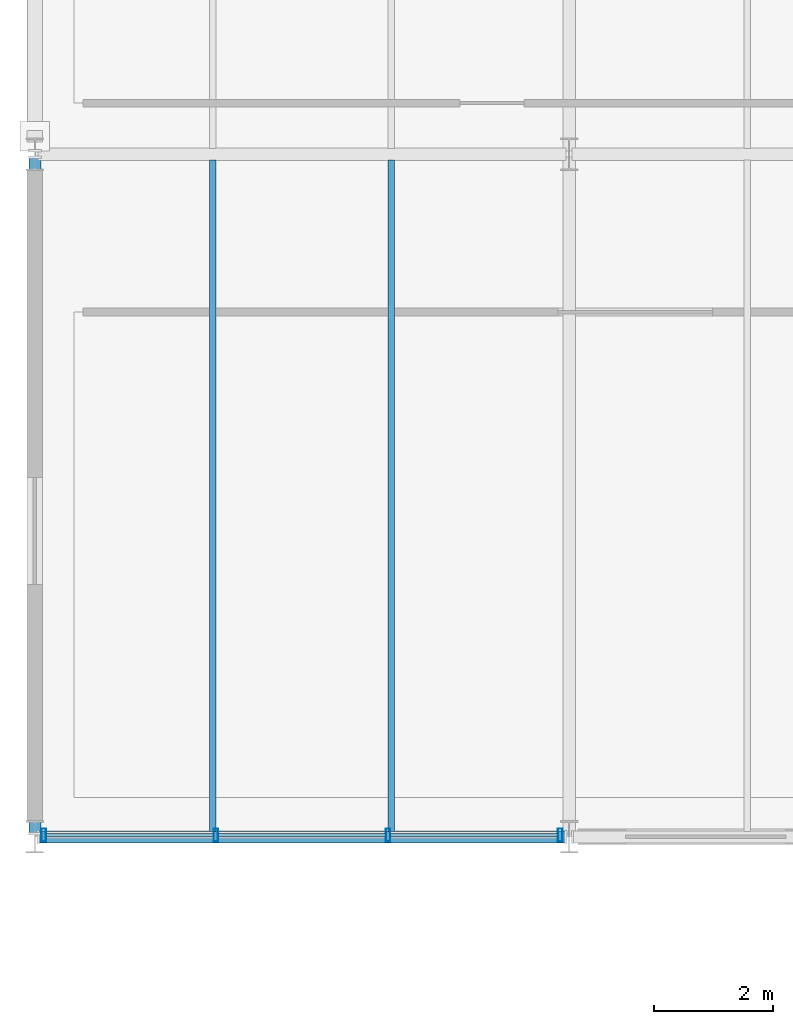
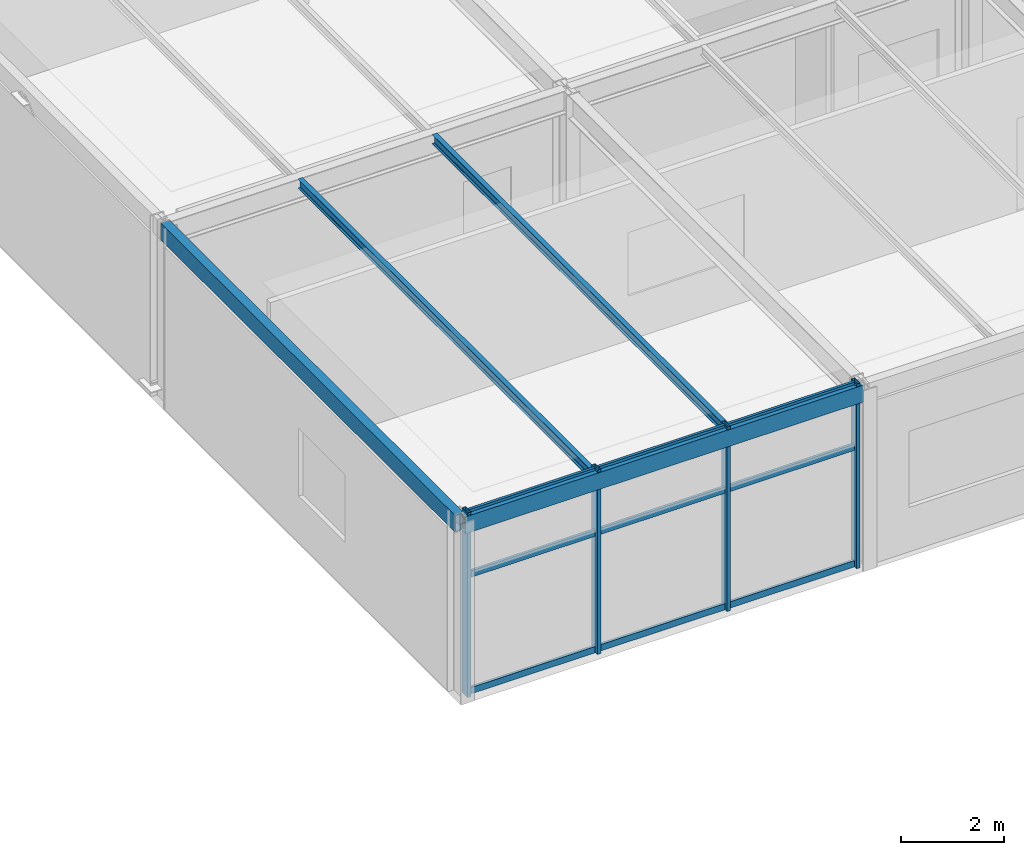
# One storey, part 6 of 44: 13 members, 4 beams, 1 element without a shape of its own.
"""IFC4 building model written with IfcOpenShell, lengths in metres."""

from ifc_helpers import new_model, si_unit, direction, frame, origin, origin_2d, place, context, subcontext, project, spatial, hollow_rectangle, i_section, extrude, material, layer, layer_set, material_profile, profile_set, type_object, element, aggregate, save


model = new_model("IFC4")

# Units and contexts
model_context = context("Model", 3, precision=1e-05, world=origin(), true_north=direction((0.0, 1.0)))
body_context = subcontext(model_context, "Body", "Model", "MODEL_VIEW")
ifc_project = project(units=[si_unit("LENGTHUNIT", "METRE"), si_unit("AREAUNIT", "SQUARE_METRE"), si_unit("VOLUMEUNIT", "CUBIC_METRE"), si_unit("PLANEANGLEUNIT", "RADIAN"), si_unit("MASSUNIT", "GRAM", prefix="KILO")], contexts=[model_context])

# Site, building, storey
site_placement = place(None, origin())
site = spatial("IfcSite", under=ifc_project, at=site_placement, CompositionType="ELEMENT")
building_placement = place(site_placement, origin())
building = spatial("IfcBuilding", under=site, at=building_placement, Name="Marlcrest Central Station", CompositionType="ELEMENT")
storey_placement = place(building_placement, frame((0.0, 0.0, 19.5)))
storey = spatial("IfcBuildingStorey", under=building, at=storey_placement, Name="L04", CompositionType="ELEMENT", Elevation=19.5)

# Beams
ifc_material_1 = material(Name="Steel S355", Category="steel")
ifc_material_profile_1 = material_profile(ifc_material_1, i_section(OverallWidth=0.110107421875, OverallDepth=0.219970703125, WebThickness=0.005859375, FlangeThickness=0.00927734375, FilletRadius=0.011962890625, at=origin_2d()), Name="IPE 220")
ifc_profile_set_1 = profile_set([ifc_material_profile_1], Name="Steel S355")
beam_type_1 = type_object("IfcBeamType", Name="JS-02", PredefinedType="JOIST", material=ifc_profile_set_1)
for number, where, z_axis, x_axis, name in (
    (1, (3.0, 99.094970703125, 4.1650390625), (0.0, 1.0, 0.0), (-1.0, 0.0, 0.0), "bm-JS-02-L04-00627"),
    (2, (6.0, 99.094970703125, 4.1650390625), (0.0, 1.0, 0.0), (-1.0, 0.0, 0.0), "bm-JS-02-L04-00630"),
):
    element("IfcBeam", number, at=place(storey_placement, frame(where, z_axis=z_axis, x_axis=x_axis)), inside=storey, type_object=beam_type_1, Name=name, PredefinedType="JOIST", context=body_context, shape_type="SweptSolid", body=[
        extrude(i_section(OverallWidth=0.110107421875, OverallDepth=0.219970703125, WebThickness=0.005859375, FlangeThickness=0.00927734375, FilletRadius=0.011962890625, at=origin_2d()), origin(), (0.0, 0.0, 1.0), 11.31005859375),
    ])

# Curtain wall, members
ifc_material_2 = material(Name="Anodised aluminium and hurricane laminated glass", Category="aluminium")
ifc_layer = layer(ifc_material_2, 0.219970703125, Name="CW-U1")
ifc_layer_set = layer_set([ifc_layer], Name="Anodised aluminium and hurricane laminated glass")
curtain_wall_type = type_object("IfcCurtainWallType", Name="CW-U1", PredefinedType="USERDEFINED", material=ifc_layer_set)
curtain_wall_placement = place(storey_placement, origin())
curtain_wall = element("IfcCurtainWall", 3, at=curtain_wall_placement, inside=storey, type_object=curtain_wall_type, Name="cw-L04-0167", ObjectType="UNITISED_CURTAIN_WALL", PredefinedType="USERDEFINED")
ifc_material_3 = material(Name="Anodised aluminium 6063-T6", Category="aluminium")
ifc_material_profile_2 = material_profile(ifc_material_3, hollow_rectangle(XDim=0.080078125, YDim=0.219970703125, WallThickness=0.006103515625, at=origin_2d()), Name="AA-RHS 220x80x6")
ifc_profile_set_2 = profile_set([ifc_material_profile_2], Name="Anodised aluminium 6063-T6")
member_type_1 = type_object("IfcMemberType", Name="ML-01", PredefinedType="MULLION", material=ifc_profile_set_2)
member_1_placement = place(storey_placement, frame((8.85009765625, 99.030029296875, -0.030029296875), z_axis=(0.0, 0.0, 1.0), x_axis=(1.0, 0.0, 0.0)))
member_1 = element("IfcMember", 4, at=member_1_placement, type_object=member_type_1, Name="cw-L04-0167-ml-0", PredefinedType="MULLION", context=body_context, shape_type="SweptSolid", body=[
    extrude(hollow_rectangle(XDim=0.080078125, YDim=0.219970703125, WallThickness=0.006103515625, at=origin_2d()), origin(), (0.0, 0.0, 1.0), 4.360107421875),
])
member_2_placement = place(storey_placement, frame((5.949951171875, 99.030029296875, -0.030029296875), z_axis=(0.0, 0.0, 1.0), x_axis=(1.0, 0.0, 0.0)))
member_2 = element("IfcMember", 5, at=member_2_placement, type_object=member_type_1, Name="cw-L04-0167-ml-1", PredefinedType="MULLION", context=body_context, shape_type="SweptSolid", body=[
    extrude(hollow_rectangle(XDim=0.080078125, YDim=0.219970703125, WallThickness=0.006103515625, at=origin_2d()), origin(), (0.0, 0.0, 1.0), 4.360107421875),
])
member_3_placement = place(storey_placement, frame((3.050048828125, 99.030029296875, -0.030029296875), z_axis=(0.0, 0.0, 1.0), x_axis=(1.0, 0.0, 0.0)))
member_3 = element("IfcMember", 6, at=member_3_placement, type_object=member_type_1, Name="cw-L04-0167-ml-2", PredefinedType="MULLION", context=body_context, shape_type="SweptSolid", body=[
    extrude(hollow_rectangle(XDim=0.080078125, YDim=0.219970703125, WallThickness=0.006103515625, at=origin_2d()), origin(), (0.0, 0.0, 1.0), 4.360107421875),
])
member_4_placement = place(storey_placement, frame((0.14990234375, 99.030029296875, -0.030029296875), z_axis=(0.0, 0.0, 1.0), x_axis=(1.0, 0.0, 0.0)))
member_4 = element("IfcMember", 7, at=member_4_placement, type_object=member_type_1, Name="cw-L04-0167-ml-3", PredefinedType="MULLION", context=body_context, shape_type="SweptSolid", body=[
    extrude(hollow_rectangle(XDim=0.080078125, YDim=0.219970703125, WallThickness=0.006103515625, at=origin_2d()), origin(), (0.0, 0.0, 1.0), 4.360107421875),
])

# Beams
ifc_material_profile_3 = material_profile(ifc_material_1, hollow_rectangle(XDim=0.199951171875, YDim=0.39990234375, WallThickness=0.01611328125, at=origin_2d()), Name="RHS 400x200x16")
ifc_profile_set_3 = profile_set([ifc_material_profile_3], Name="Steel S355")
beam_type_2 = type_object("IfcBeamType", Name="SP-01", PredefinedType="SPANDREL", material=ifc_profile_set_3)
beam_1_placement = place(storey_placement, frame((0.050048828125, 99.0, 4.074951171875), z_axis=(1.0, 0.0, 0.0), x_axis=(0.0, 1.0, 0.0)))
element("IfcBeam", 8, at=beam_1_placement, inside=storey, type_object=beam_type_2, Name="bm-SP-01-L04-00575", PredefinedType="SPANDREL", context=body_context, shape_type="SweptSolid", body=[
    extrude(hollow_rectangle(XDim=0.199951171875, YDim=0.39990234375, WallThickness=0.01611328125, at=origin_2d()), origin(), (0.0, 0.0, 1.0), 8.89990234375),
])
beam_2_placement = place(storey_placement, frame((0.0, 99.050048828125, 4.074951171875), z_axis=(0.0, 1.0, 0.0), x_axis=(-1.0, 0.0, 0.0)))
element("IfcBeam", 9, at=beam_2_placement, inside=storey, type_object=beam_type_2, Name="bm-SP-01-L04-00603", PredefinedType="SPANDREL", context=body_context, shape_type="SweptSolid", body=[
    extrude(hollow_rectangle(XDim=0.199951171875, YDim=0.39990234375, WallThickness=0.01611328125, at=origin_2d()), origin(), (0.0, 0.0, 1.0), 11.39990234375),
])

# Member
ifc_material_profile_4 = material_profile(ifc_material_3, hollow_rectangle(XDim=0.06005859375, YDim=0.14990234375, WallThickness=0.00390625, at=origin_2d()), Name="AA-RHS 150x60x4")
ifc_profile_set_4 = profile_set([ifc_material_profile_4], Name="Anodised aluminium 6063-T6")
member_type_2 = type_object("IfcMemberType", Name="TR-01", PredefinedType="USERDEFINED", material=ifc_profile_set_4)
member_5_placement = place(storey_placement, frame((8.81201171875, 99.030029296875, 0.0400390625), z_axis=(-1.0, 0.0, 0.0), x_axis=(0.0, -1.0, 0.0)))
member_5 = element("IfcMember", 10, at=member_5_placement, type_object=member_type_2, Name="cw-L04-0167-tr-0-sill", ObjectType="TRANSOM", PredefinedType="USERDEFINED", context=body_context, shape_type="SweptSolid", body=[
    extrude(hollow_rectangle(XDim=0.06005859375, YDim=0.14990234375, WallThickness=0.00390625, at=origin_2d()), origin(), (0.0, 0.0, 1.0), 2.823974609375),
])

member_6_placement = place(storey_placement, frame((8.81201171875, 99.030029296875, 2.794921875), z_axis=(-1.0, 0.0, 0.0), x_axis=(0.0, -1.0, 0.0)))
member_6 = element("IfcMember", 11, at=member_6_placement, type_object=member_type_2, Name="cw-L04-0167-tr-0-mid", ObjectType="TRANSOM", PredefinedType="USERDEFINED", context=body_context, shape_type="SweptSolid", body=[
    extrude(hollow_rectangle(XDim=0.06005859375, YDim=0.14990234375, WallThickness=0.00390625, at=origin_2d()), origin(), (0.0, 0.0, 1.0), 2.823974609375),
])

member_7_placement = place(storey_placement, frame((8.81201171875, 99.030029296875, 4.260009765625), z_axis=(-1.0, 0.0, 0.0), x_axis=(0.0, -1.0, 0.0)))
member_7 = element("IfcMember", 12, at=member_7_placement, type_object=member_type_2, Name="cw-L04-0167-tr-0-head", ObjectType="TRANSOM", PredefinedType="USERDEFINED", context=body_context, shape_type="SweptSolid", body=[
    extrude(hollow_rectangle(XDim=0.06005859375, YDim=0.14990234375, WallThickness=0.00390625, at=origin_2d()), origin(), (0.0, 0.0, 1.0), 2.823974609375),
])

member_8_placement = place(storey_placement, frame((5.912109375, 99.030029296875, 0.0400390625), z_axis=(-1.0, 0.0, 0.0), x_axis=(0.0, -1.0, 0.0)))
member_8 = element("IfcMember", 13, at=member_8_placement, type_object=member_type_2, Name="cw-L04-0167-tr-1-sill", ObjectType="TRANSOM", PredefinedType="USERDEFINED", context=body_context, shape_type="SweptSolid", body=[
    extrude(hollow_rectangle(XDim=0.06005859375, YDim=0.14990234375, WallThickness=0.00390625, at=origin_2d()), origin(), (0.0, 0.0, 1.0), 2.82421875),
])

member_9_placement = place(storey_placement, frame((5.912109375, 99.030029296875, 2.794921875), z_axis=(-1.0, 0.0, 0.0), x_axis=(0.0, -1.0, 0.0)))
member_9 = element("IfcMember", 14, at=member_9_placement, type_object=member_type_2, Name="cw-L04-0167-tr-1-mid", ObjectType="TRANSOM", PredefinedType="USERDEFINED", context=body_context, shape_type="SweptSolid", body=[
    extrude(hollow_rectangle(XDim=0.06005859375, YDim=0.14990234375, WallThickness=0.00390625, at=origin_2d()), origin(), (0.0, 0.0, 1.0), 2.82421875),
])

member_10_placement = place(storey_placement, frame((5.912109375, 99.030029296875, 4.260009765625), z_axis=(-1.0, 0.0, 0.0), x_axis=(0.0, -1.0, 0.0)))
member_10 = element("IfcMember", 15, at=member_10_placement, type_object=member_type_2, Name="cw-L04-0167-tr-1-head", ObjectType="TRANSOM", PredefinedType="USERDEFINED", context=body_context, shape_type="SweptSolid", body=[
    extrude(hollow_rectangle(XDim=0.06005859375, YDim=0.14990234375, WallThickness=0.00390625, at=origin_2d()), origin(), (0.0, 0.0, 1.0), 2.82421875),
])

member_11_placement = place(storey_placement, frame((3.011962890625, 99.030029296875, 0.0400390625), z_axis=(-1.0, 0.0, 0.0), x_axis=(0.0, -1.0, 0.0)))
member_11 = element("IfcMember", 16, at=member_11_placement, type_object=member_type_2, Name="cw-L04-0167-tr-2-sill", ObjectType="TRANSOM", PredefinedType="USERDEFINED", context=body_context, shape_type="SweptSolid", body=[
    extrude(hollow_rectangle(XDim=0.06005859375, YDim=0.14990234375, WallThickness=0.00390625, at=origin_2d()), origin(), (0.0, 0.0, 1.0), 2.823974609375),
])

member_12_placement = place(storey_placement, frame((3.011962890625, 99.030029296875, 2.794921875), z_axis=(-1.0, 0.0, 0.0), x_axis=(0.0, -1.0, 0.0)))
member_12 = element("IfcMember", 17, at=member_12_placement, type_object=member_type_2, Name="cw-L04-0167-tr-2-mid", ObjectType="TRANSOM", PredefinedType="USERDEFINED", context=body_context, shape_type="SweptSolid", body=[
    extrude(hollow_rectangle(XDim=0.06005859375, YDim=0.14990234375, WallThickness=0.00390625, at=origin_2d()), origin(), (0.0, 0.0, 1.0), 2.823974609375),
])

member_13_placement = place(storey_placement, frame((3.011962890625, 99.030029296875, 4.260009765625), z_axis=(-1.0, 0.0, 0.0), x_axis=(0.0, -1.0, 0.0)))
member_13 = element("IfcMember", 18, at=member_13_placement, type_object=member_type_2, Name="cw-L04-0167-tr-2-head", ObjectType="TRANSOM", PredefinedType="USERDEFINED", context=body_context, shape_type="SweptSolid", body=[
    extrude(hollow_rectangle(XDim=0.06005859375, YDim=0.14990234375, WallThickness=0.00390625, at=origin_2d()), origin(), (0.0, 0.0, 1.0), 2.823974609375),
])

aggregate(curtain_wall, [member_1, member_2, member_3, member_4, member_5, member_6, member_7, member_8, member_9, member_10, member_11, member_12, member_13])

save(model, "model.ifc")
